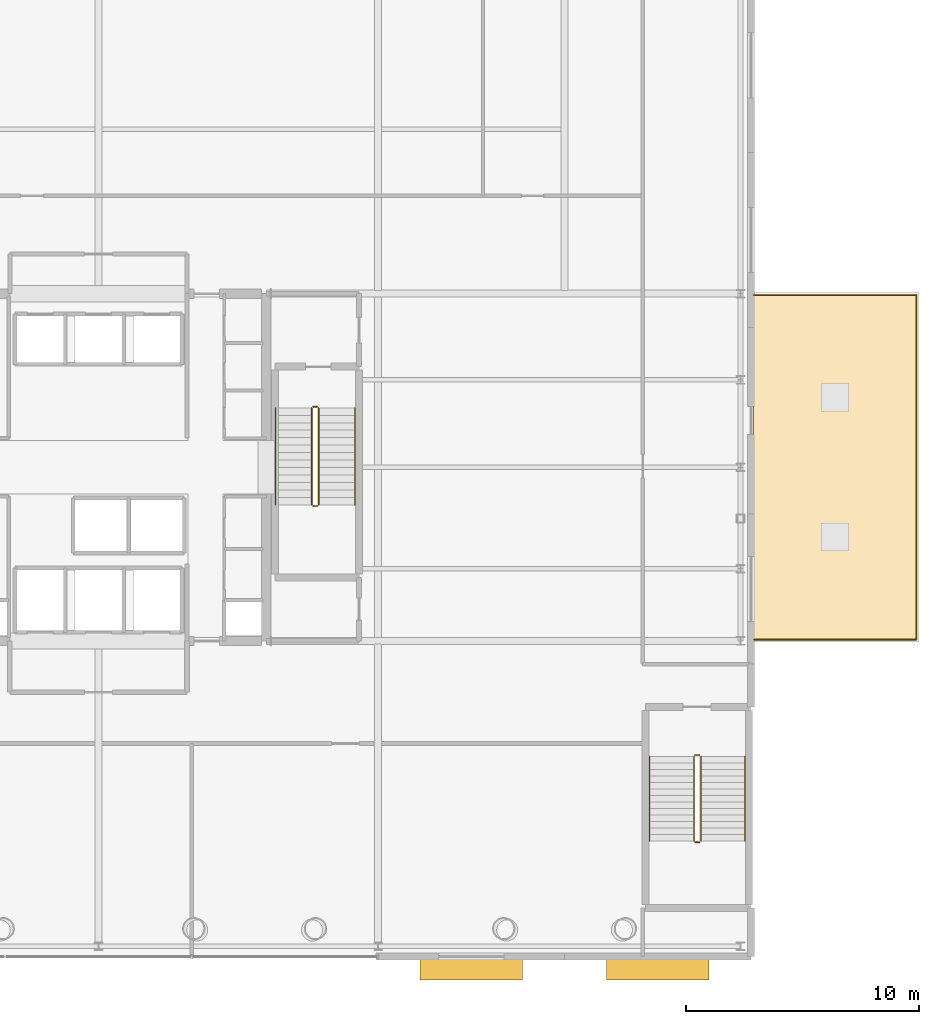
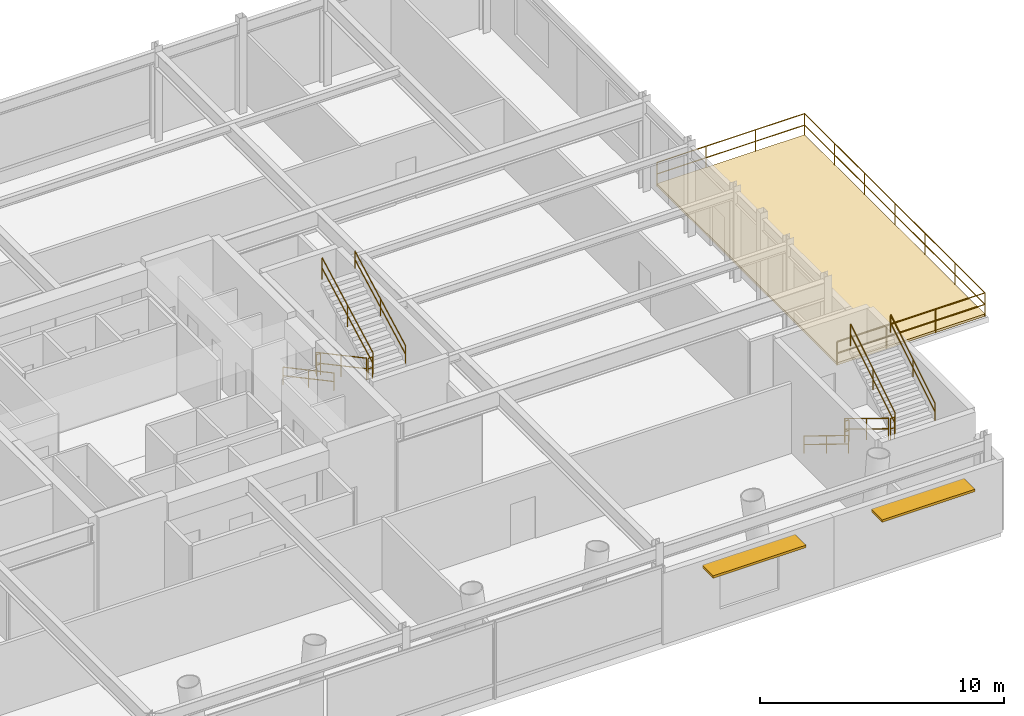
# One storey, part 20 of 22: 13 railings, 2 shading devices, 1 covering.
"""IFC4 building model written with IfcOpenShell, lengths in metres."""

from ifc_helpers import new_model, si_unit, direction, frame, origin, origin_2d, place, context, subcontext, project, spatial, polyline, rectangle, circle, outline, extrude, material, layer, layer_set, type_object, element, save


model = new_model("IFC4")

# Units and contexts
model_context = context("Model", 3, precision=1e-05, world=origin(), true_north=direction((0.0, 1.0)))
body_context = subcontext(model_context, "Body", "Model", "MODEL_VIEW")
ifc_project = project(units=[si_unit("LENGTHUNIT", "METRE"), si_unit("AREAUNIT", "SQUARE_METRE"), si_unit("VOLUMEUNIT", "CUBIC_METRE"), si_unit("PLANEANGLEUNIT", "RADIAN"), si_unit("MASSUNIT", "GRAM", prefix="KILO")], contexts=[model_context])

# Site, building, storey
site_placement = place(None, origin())
site = spatial("IfcSite", under=ifc_project, at=site_placement, CompositionType="ELEMENT")
building_placement = place(site_placement, origin())
building = spatial("IfcBuilding", under=site, at=building_placement, Name="Veldorina Hangang Commons", CompositionType="ELEMENT")
storey_placement = place(building_placement, frame((0.0, 0.0, 14.800048828125)))
storey = spatial("IfcBuildingStorey", under=building, at=storey_placement, Name="L03", CompositionType="ELEMENT", Elevation=14.800048828125)

# Covering
ifc_material_1 = material(Name="Stone Roman Travertine", Category="masonry")
ifc_layer_1 = layer(ifc_material_1, 0.1201171875)
ifc_layer_set_1 = layer_set([ifc_layer_1], Name="Stone Roman Travertine")
covering_type = type_object("IfcCoveringType", Name="RF-FLAT-STONE", PredefinedType="ROOFING", material=ifc_layer_set_1)
covering_placement = place(storey_placement, origin())
element("IfcCovering", 1, at=covering_placement, inside=storey, type_object=covering_type, Name="L03 cantilever terrace stone-ballasted roofing", PredefinedType="ROOFING", context=body_context, shape_type="SweptSolid", body=[
    extrude(outline(polyline([(60.10009765625, 16.60009765625), (67.10009765625, 16.60009765625), (67.10009765625, 31.39990234375), (60.10009765625, 31.39990234375), (60.10009765625, 16.60009765625)])), origin(), (0.0, 0.0, 1.0), 0.119873046875),
])

# Railings
ifc_material_2 = material(Name="Glass Laminated Safety Balustrade", Category="glass")
railing_type_1 = type_object("IfcRailingType", Name="RL-BAL-LOGGIA", PredefinedType="BALUSTRADE", material=ifc_material_2)
railing_1_placement = place(storey_placement, frame((60.10009765625, 16.60009765625, 0.0)))
element("IfcRailing", 2, at=railing_1_placement, inside=storey, type_object=railing_type_1, Name="L03 east cantilever terrace balustrade", PredefinedType="BALUSTRADE", context=body_context, shape_type="SweptSolid", body=[
    extrude(circle(Radius=0.02392578125, at=origin_2d()), frame((0.0, 0.0, 1.17578125), z_axis=(1.0, 0.0, 0.0), x_axis=(0.0, 1.0, 0.0)), (0.0, 0.0, 1.0), 7.0),
    extrude(circle(Radius=0.02392578125, at=origin_2d()), frame((0.0, 0.0, 0.60009765625), z_axis=(1.0, 0.0, 0.0), x_axis=(0.0, 1.0, 0.0)), (0.0, 0.0, 1.0), 7.0),
    extrude(circle(Radius=0.02392578125, at=origin_2d()), frame((7.0, 0.0, 1.17578125), z_axis=(0.0, 1.0, 0.0), x_axis=(-1.0, 0.0, 0.0)), (0.0, 0.0, 1.0), 14.7998046875),
    extrude(circle(Radius=0.02392578125, at=origin_2d()), frame((7.0, 0.0, 0.60009765625), z_axis=(0.0, 1.0, 0.0), x_axis=(-1.0, 0.0, 0.0)), (0.0, 0.0, 1.0), 14.7998046875),
    extrude(circle(Radius=0.02392578125, at=origin_2d()), frame((7.0, 14.7998046875, 1.17578125), z_axis=(-1.0, 0.0, 0.0), x_axis=(0.0, -1.0, 0.0)), (0.0, 0.0, 1.0), 7.0),
    extrude(circle(Radius=0.02392578125, at=origin_2d()), frame((7.0, 14.7998046875, 0.60009765625), z_axis=(-1.0, 0.0, 0.0), x_axis=(0.0, -1.0, 0.0)), (0.0, 0.0, 1.0), 7.0),
    extrude(circle(Radius=0.02099609375, at=origin_2d()), origin(), (0.0, 0.0, 1.0), 1.15185546875),
    extrude(circle(Radius=0.02099609375, at=origin_2d()), frame((2.333251953125, 0.0, 0.0)), (0.0, 0.0, 1.0), 1.15185546875),
    extrude(circle(Radius=0.02099609375, at=origin_2d()), frame((4.666748046875, 0.0, 0.0)), (0.0, 0.0, 1.0), 1.15185546875),
    extrude(circle(Radius=0.02099609375, at=origin_2d()), frame((7.0, 0.0, 0.0)), (0.0, 0.0, 1.0), 1.15185546875),
    extrude(circle(Radius=0.02099609375, at=origin_2d()), frame((7.0, 2.466552734375, 0.0)), (0.0, 0.0, 1.0), 1.15185546875),
    extrude(circle(Radius=0.02099609375, at=origin_2d()), frame((7.0, 4.933349609375, 0.0)), (0.0, 0.0, 1.0), 1.15185546875),
    extrude(circle(Radius=0.02099609375, at=origin_2d()), frame((7.0, 7.39990234375, 0.0)), (0.0, 0.0, 1.0), 1.15185546875),
    extrude(circle(Radius=0.02099609375, at=origin_2d()), frame((7.0, 9.866455078125, 0.0)), (0.0, 0.0, 1.0), 1.15185546875),
    extrude(circle(Radius=0.02099609375, at=origin_2d()), frame((7.0, 12.333251953125, 0.0)), (0.0, 0.0, 1.0), 1.15185546875),
    extrude(circle(Radius=0.02099609375, at=origin_2d()), frame((7.0, 14.7998046875, 0.0)), (0.0, 0.0, 1.0), 1.15185546875),
    extrude(circle(Radius=0.02099609375, at=origin_2d()), frame((4.666748046875, 14.7998046875, 0.0)), (0.0, 0.0, 1.0), 1.15185546875),
    extrude(circle(Radius=0.02099609375, at=origin_2d()), frame((2.333251953125, 14.7998046875, 0.0)), (0.0, 0.0, 1.0), 1.15185546875),
    extrude(circle(Radius=0.02099609375, at=origin_2d()), frame((0.0, 14.7998046875, 0.0)), (0.0, 0.0, 1.0), 1.15185546875),
])
ifc_material_3 = material(Name="Steel Painted Balustrade", Category="steel")
railing_type_2 = type_object("IfcRailingType", Name="RL-GRD-STAIR", PredefinedType="GUARDRAIL", material=ifc_material_3)
railing_2_placement = place(storey_placement, frame((41.14990234375, 26.550048828125, 0.17138671875)))
element("IfcRailing", 3, at=railing_2_placement, inside=storey, type_object=railing_type_2, Name="L03 ST-2 stair guard 1", PredefinedType="GUARDRAIL", context=body_context, shape_type="SweptSolid", body=[
    extrude(circle(Radius=0.02392578125, at=origin_2d()), frame((0.0, 0.0, 1.076171875), z_axis=(0.0, -0.881492274372, 0.472198443689), x_axis=(1.0, 0.0, 0.0)), (0.0, 0.0, 1.0), 4.719482421875),
    extrude(circle(Radius=0.02392578125, at=origin_2d()), frame((0.0, 0.0, 0.550048828125), z_axis=(0.0, -0.881492274372, 0.472198443689), x_axis=(1.0, 0.0, 0.0)), (0.0, 0.0, 1.0), 4.719482421875),
    extrude(circle(Radius=0.02099609375, at=origin_2d()), origin(), (0.0, 0.0, 1.0), 1.052001953125),
    extrude(circle(Radius=0.02099609375, at=origin_2d()), frame((0.0, -2.080078125, 1.1142578125)), (0.0, 0.0, 1.0), 1.052001953125),
    extrude(circle(Radius=0.02099609375, at=origin_2d()), frame((0.0, -4.16015625, 2.228515625)), (0.0, 0.0, 1.0), 1.052001953125),
])
railing_3_placement = place(storey_placement, frame((41.199951171875, 22.340087890625, 2.39990234375)))
element("IfcRailing", 4, at=railing_3_placement, inside=storey, type_object=railing_type_2, Name="L03 ST-2 stair guard 2", PredefinedType="GUARDRAIL", context=body_context, shape_type="SweptSolid", body=[
    extrude(circle(Radius=0.02392578125, at=origin_2d()), frame((0.0, 0.0, 1.076171875), z_axis=(1.0, 0.0, 0.0), x_axis=(0.0, 1.0, 0.0)), (0.0, 0.0, 1.0), 0.199951171875),
    extrude(circle(Radius=0.02392578125, at=origin_2d()), frame((0.0, 0.0, 0.550048828125), z_axis=(1.0, 0.0, 0.0), x_axis=(0.0, 1.0, 0.0)), (0.0, 0.0, 1.0), 0.199951171875),
    extrude(circle(Radius=0.02099609375, at=origin_2d()), origin(), (0.0, 0.0, 1.0), 1.052001953125),
    extrude(circle(Radius=0.02099609375, at=origin_2d()), frame((0.199951171875, 0.0, 0.0)), (0.0, 0.0, 1.0), 1.052001953125),
])
railing_4_placement = place(storey_placement, frame((41.449951171875, 22.389892578125, 2.5712890625)))
element("IfcRailing", 5, at=railing_4_placement, inside=storey, type_object=railing_type_2, Name="L03 ST-2 stair guard 3", PredefinedType="GUARDRAIL", context=body_context, shape_type="SweptSolid", body=[
    extrude(circle(Radius=0.02392578125, at=origin_2d()), frame((0.0, 0.0, 1.076171875), z_axis=(0.0, 0.881470741604, 0.472238638504), x_axis=(-1.0, 0.0, 0.0)), (0.0, 0.0, 1.0), 4.719482421875),
    extrude(circle(Radius=0.02392578125, at=origin_2d()), frame((0.0, 0.0, 0.550048828125), z_axis=(0.0, 0.881470741604, 0.472238638504), x_axis=(-1.0, 0.0, 0.0)), (0.0, 0.0, 1.0), 4.719482421875),
    extrude(circle(Radius=0.02099609375, at=origin_2d()), origin(), (0.0, 0.0, 1.0), 1.052001953125),
    extrude(circle(Radius=0.02099609375, at=origin_2d()), frame((0.0, 2.080078125, 1.1142578125)), (0.0, 0.0, 1.0), 1.052001953125),
    extrude(circle(Radius=0.02099609375, at=origin_2d()), frame((0.0, 4.16015625, 2.228759765625)), (0.0, 0.0, 1.0), 1.052001953125),
])
railing_5_placement = place(storey_placement, frame((41.199951171875, 26.60009765625, 0.0)))
element("IfcRailing", 6, at=railing_5_placement, inside=storey, type_object=railing_type_2, Name="L03 ST-2 stair guard 4", PredefinedType="GUARDRAIL", context=body_context, shape_type="SweptSolid", body=[
    extrude(circle(Radius=0.02392578125, at=origin_2d()), frame((0.0, 0.0, 1.076171875), z_axis=(1.0, 0.0, 0.0), x_axis=(0.0, 1.0, 0.0)), (0.0, 0.0, 1.0), 0.199951171875),
    extrude(circle(Radius=0.02392578125, at=origin_2d()), frame((0.0, 0.0, 0.550048828125), z_axis=(1.0, 0.0, 0.0), x_axis=(0.0, 1.0, 0.0)), (0.0, 0.0, 1.0), 0.199951171875),
    extrude(circle(Radius=0.02099609375, at=origin_2d()), origin(), (0.0, 0.0, 1.0), 1.052001953125),
    extrude(circle(Radius=0.02099609375, at=origin_2d()), frame((0.199951171875, 0.0, 0.0)), (0.0, 0.0, 1.0), 1.052001953125),
])
railing_6_placement = place(storey_placement, frame((57.550048828125, 11.60009765625, 0.17138671875)))
element("IfcRailing", 7, at=railing_6_placement, inside=storey, type_object=railing_type_2, Name="L03 ST-P2 stair guard 1", PredefinedType="GUARDRAIL", context=body_context, shape_type="SweptSolid", body=[
    extrude(circle(Radius=0.02392578125, at=origin_2d()), frame((0.0, 0.0, 1.076171875), z_axis=(0.0, -0.852865859571, 0.52213008492), x_axis=(1.0, 0.0, 0.0)), (0.0, 0.0, 1.0), 4.26806640625),
    extrude(circle(Radius=0.02392578125, at=origin_2d()), frame((0.0, 0.0, 0.550048828125), z_axis=(0.0, -0.852865859571, 0.52213008492), x_axis=(1.0, 0.0, 0.0)), (0.0, 0.0, 1.0), 4.26806640625),
    extrude(circle(Radius=0.02099609375, at=origin_2d()), origin(), (0.0, 0.0, 1.0), 1.052001953125),
    extrude(circle(Radius=0.02099609375, at=origin_2d()), frame((0.0, -1.820068359375, 1.1142578125)), (0.0, 0.0, 1.0), 1.052001953125),
    extrude(circle(Radius=0.02099609375, at=origin_2d()), frame((0.0, -3.64013671875, 2.228515625)), (0.0, 0.0, 1.0), 1.052001953125),
])
railing_7_placement = place(storey_placement, frame((57.60009765625, 7.909912109375, 2.39990234375)))
element("IfcRailing", 8, at=railing_7_placement, inside=storey, type_object=railing_type_2, Name="L03 ST-P2 stair guard 2", PredefinedType="GUARDRAIL", context=body_context, shape_type="SweptSolid", body=[
    extrude(circle(Radius=0.02392578125, at=origin_2d()), frame((0.0, 0.0, 1.076171875), z_axis=(1.0, 0.0, 0.0), x_axis=(0.0, 1.0, 0.0)), (0.0, 0.0, 1.0), 0.199951171875),
    extrude(circle(Radius=0.02392578125, at=origin_2d()), frame((0.0, 0.0, 0.550048828125), z_axis=(1.0, 0.0, 0.0), x_axis=(0.0, 1.0, 0.0)), (0.0, 0.0, 1.0), 0.199951171875),
    extrude(circle(Radius=0.02099609375, at=origin_2d()), origin(), (0.0, 0.0, 1.0), 1.052001953125),
    extrude(circle(Radius=0.02099609375, at=origin_2d()), frame((0.199951171875, 0.0, 0.0)), (0.0, 0.0, 1.0), 1.052001953125),
])
railing_8_placement = place(storey_placement, frame((57.85009765625, 7.9599609375, 2.5712890625)))
element("IfcRailing", 9, at=railing_8_placement, inside=storey, type_object=railing_type_2, Name="L03 ST-P2 stair guard 3", PredefinedType="GUARDRAIL", context=body_context, shape_type="SweptSolid", body=[
    extrude(circle(Radius=0.02392578125, at=origin_2d()), frame((0.0, 0.0, 1.076171875), z_axis=(0.0, 0.852840387347, 0.522171689878), x_axis=(-1.0, 0.0, 0.0)), (0.0, 0.0, 1.0), 4.268310546875),
    extrude(circle(Radius=0.02392578125, at=origin_2d()), frame((0.0, 0.0, 0.550048828125), z_axis=(0.0, 0.852840387347, 0.522171689878), x_axis=(-1.0, 0.0, 0.0)), (0.0, 0.0, 1.0), 4.268310546875),
    extrude(circle(Radius=0.02099609375, at=origin_2d()), origin(), (0.0, 0.0, 1.0), 1.052001953125),
    extrude(circle(Radius=0.02099609375, at=origin_2d()), frame((0.0, 1.820068359375, 1.1142578125)), (0.0, 0.0, 1.0), 1.052001953125),
    extrude(circle(Radius=0.02099609375, at=origin_2d()), frame((0.0, 3.64013671875, 2.228759765625)), (0.0, 0.0, 1.0), 1.052001953125),
])
railing_9_placement = place(storey_placement, frame((57.60009765625, 11.64990234375, 0.0)))
element("IfcRailing", 10, at=railing_9_placement, inside=storey, type_object=railing_type_2, Name="L03 ST-P2 stair guard 4", PredefinedType="GUARDRAIL", context=body_context, shape_type="SweptSolid", body=[
    extrude(circle(Radius=0.02392578125, at=origin_2d()), frame((0.0, 0.0, 1.076171875), z_axis=(1.0, 0.0, 0.0), x_axis=(0.0, 1.0, 0.0)), (0.0, 0.0, 1.0), 0.199951171875),
    extrude(circle(Radius=0.02392578125, at=origin_2d()), frame((0.0, 0.0, 0.550048828125), z_axis=(1.0, 0.0, 0.0), x_axis=(0.0, 1.0, 0.0)), (0.0, 0.0, 1.0), 0.199951171875),
    extrude(circle(Radius=0.02099609375, at=origin_2d()), origin(), (0.0, 0.0, 1.0), 1.052001953125),
    extrude(circle(Radius=0.02099609375, at=origin_2d()), frame((0.199951171875, 0.0, 0.0)), (0.0, 0.0, 1.0), 1.052001953125),
])
ifc_material_4 = material(Name="Stainless Steel Brushed 316", Category="steel")
railing_type_3 = type_object("IfcRailingType", Name="RL-HND-STAIR", PredefinedType="HANDRAIL", material=ifc_material_4)
railing_10_placement = place(storey_placement, frame((39.60009765625, 26.550048828125, 0.17138671875)))
element("IfcRailing", 11, at=railing_10_placement, inside=storey, type_object=railing_type_3, Name="L03 ST-2 stair handrail 1", PredefinedType="HANDRAIL", context=body_context, shape_type="SweptSolid", body=[
    extrude(circle(Radius=0.02392578125, at=origin_2d()), frame((0.0, 0.0, 0.8759765625), z_axis=(0.0, -0.881492274372, 0.472198443689), x_axis=(1.0, 0.0, 0.0)), (0.0, 0.0, 1.0), 4.719482421875),
    extrude(circle(Radius=0.02392578125, at=origin_2d()), frame((0.0, 0.0, 0.449951171875), z_axis=(0.0, -0.881492274372, 0.472198443689), x_axis=(1.0, 0.0, 0.0)), (0.0, 0.0, 1.0), 4.719482421875),
    extrude(circle(Radius=0.02099609375, at=origin_2d()), origin(), (0.0, 0.0, 1.0), 0.851806640625),
    extrude(circle(Radius=0.02099609375, at=origin_2d()), frame((0.0, -2.080078125, 1.1142578125)), (0.0, 0.0, 1.0), 0.851806640625),
    extrude(circle(Radius=0.02099609375, at=origin_2d()), frame((0.0, -4.16015625, 2.228515625)), (0.0, 0.0, 1.0), 0.851806640625),
])
railing_11_placement = place(storey_placement, frame((43.0, 22.389892578125, 2.5712890625)))
element("IfcRailing", 12, at=railing_11_placement, inside=storey, type_object=railing_type_3, Name="L03 ST-2 stair handrail 2", PredefinedType="HANDRAIL", context=body_context, shape_type="SweptSolid", body=[
    extrude(circle(Radius=0.02392578125, at=origin_2d()), frame((0.0, 0.0, 0.8759765625), z_axis=(0.0, 0.881470741604, 0.472238638504), x_axis=(-1.0, 0.0, 0.0)), (0.0, 0.0, 1.0), 4.719482421875),
    extrude(circle(Radius=0.02392578125, at=origin_2d()), frame((0.0, 0.0, 0.449951171875), z_axis=(0.0, 0.881470741604, 0.472238638504), x_axis=(-1.0, 0.0, 0.0)), (0.0, 0.0, 1.0), 4.719482421875),
    extrude(circle(Radius=0.02099609375, at=origin_2d()), origin(), (0.0, 0.0, 1.0), 0.851806640625),
    extrude(circle(Radius=0.02099609375, at=origin_2d()), frame((0.0, 2.080078125, 1.1142578125)), (0.0, 0.0, 1.0), 0.851806640625),
    extrude(circle(Radius=0.02099609375, at=origin_2d()), frame((0.0, 4.16015625, 2.228759765625)), (0.0, 0.0, 1.0), 0.851806640625),
])
railing_12_placement = place(storey_placement, frame((55.64990234375, 11.60009765625, 0.17138671875)))
element("IfcRailing", 13, at=railing_12_placement, inside=storey, type_object=railing_type_3, Name="L03 ST-P2 stair handrail 1", PredefinedType="HANDRAIL", context=body_context, shape_type="SweptSolid", body=[
    extrude(circle(Radius=0.02392578125, at=origin_2d()), frame((0.0, 0.0, 0.8759765625), z_axis=(0.0, -0.852865859571, 0.52213008492), x_axis=(1.0, 0.0, 0.0)), (0.0, 0.0, 1.0), 4.26806640625),
    extrude(circle(Radius=0.02392578125, at=origin_2d()), frame((0.0, 0.0, 0.449951171875), z_axis=(0.0, -0.852865859571, 0.52213008492), x_axis=(1.0, 0.0, 0.0)), (0.0, 0.0, 1.0), 4.26806640625),
    extrude(circle(Radius=0.02099609375, at=origin_2d()), origin(), (0.0, 0.0, 1.0), 0.851806640625),
    extrude(circle(Radius=0.02099609375, at=origin_2d()), frame((0.0, -1.820068359375, 1.1142578125)), (0.0, 0.0, 1.0), 0.851806640625),
    extrude(circle(Radius=0.02099609375, at=origin_2d()), frame((0.0, -3.64013671875, 2.228515625)), (0.0, 0.0, 1.0), 0.851806640625),
])
railing_13_placement = place(storey_placement, frame((59.75, 7.9599609375, 2.5712890625)))
element("IfcRailing", 14, at=railing_13_placement, inside=storey, type_object=railing_type_3, Name="L03 ST-P2 stair handrail 2", PredefinedType="HANDRAIL", context=body_context, shape_type="SweptSolid", body=[
    extrude(circle(Radius=0.02392578125, at=origin_2d()), frame((0.0, 0.0, 0.8759765625), z_axis=(0.0, 0.852840387347, 0.522171689878), x_axis=(-1.0, 0.0, 0.0)), (0.0, 0.0, 1.0), 4.268310546875),
    extrude(circle(Radius=0.02392578125, at=origin_2d()), frame((0.0, 0.0, 0.449951171875), z_axis=(0.0, 0.852840387347, 0.522171689878), x_axis=(-1.0, 0.0, 0.0)), (0.0, 0.0, 1.0), 4.268310546875),
    extrude(circle(Radius=0.02099609375, at=origin_2d()), origin(), (0.0, 0.0, 1.0), 0.851806640625),
    extrude(circle(Radius=0.02099609375, at=origin_2d()), frame((0.0, 1.820068359375, 1.1142578125)), (0.0, 0.0, 1.0), 0.851806640625),
    extrude(circle(Radius=0.02099609375, at=origin_2d()), frame((0.0, 3.64013671875, 2.228759765625)), (0.0, 0.0, 1.0), 0.851806640625),
])

# Shading devices
ifc_layer_2 = layer(ifc_material_1, 0.1201171875)
ifc_layer_set_2 = layer_set([ifc_layer_2], Name="Stone Roman Travertine")
shading_device_type = type_object("IfcShadingDeviceType", Name="SHD-POD-4000", PredefinedType="USERDEFINED", material=ifc_layer_set_2)
for number, where, z_axis, x_axis, name in (
    (15, (48.0, 2.449951171875, 3.18994140625), (0.0, 0.0, 1.0), (1.0, 0.0, 0.0), "L03 south travertine sunshade S6"),
    (16, (56.0, 2.449951171875, 3.18994140625), (0.0, 0.0, 1.0), (1.0, 0.0, 0.0), "L03 south travertine sunshade S7"),
):
    element("IfcShadingDevice", number, at=place(storey_placement, frame(where, z_axis=z_axis, x_axis=x_axis)), inside=storey, type_object=shading_device_type, Name=name, ObjectType="SUNSHADE", PredefinedType="USERDEFINED", context=body_context, shape_type="SweptSolid", body=[
        extrude(rectangle(XDim=4.39990234375, YDim=0.89990234375, at=origin_2d()), origin(), (0.0, 0.0, 1.0), 0.1201171875),
    ])

save(model, "model.ifc")
